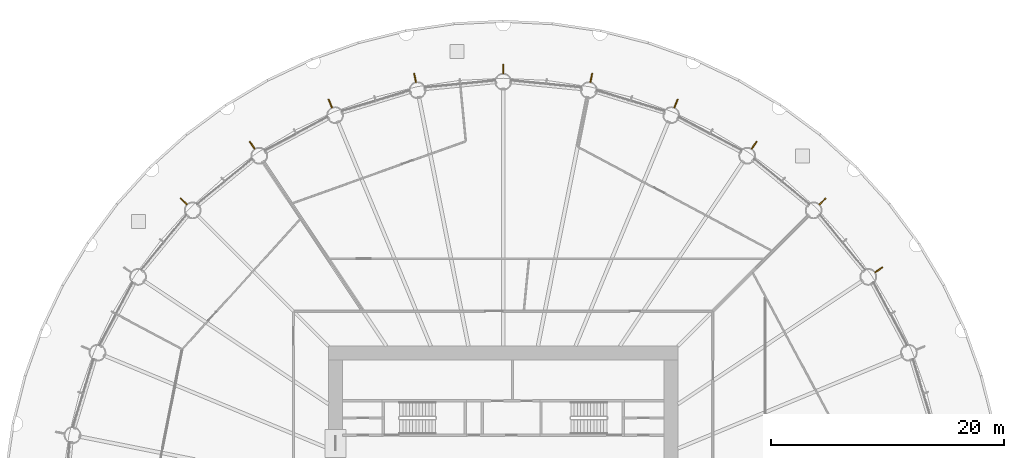
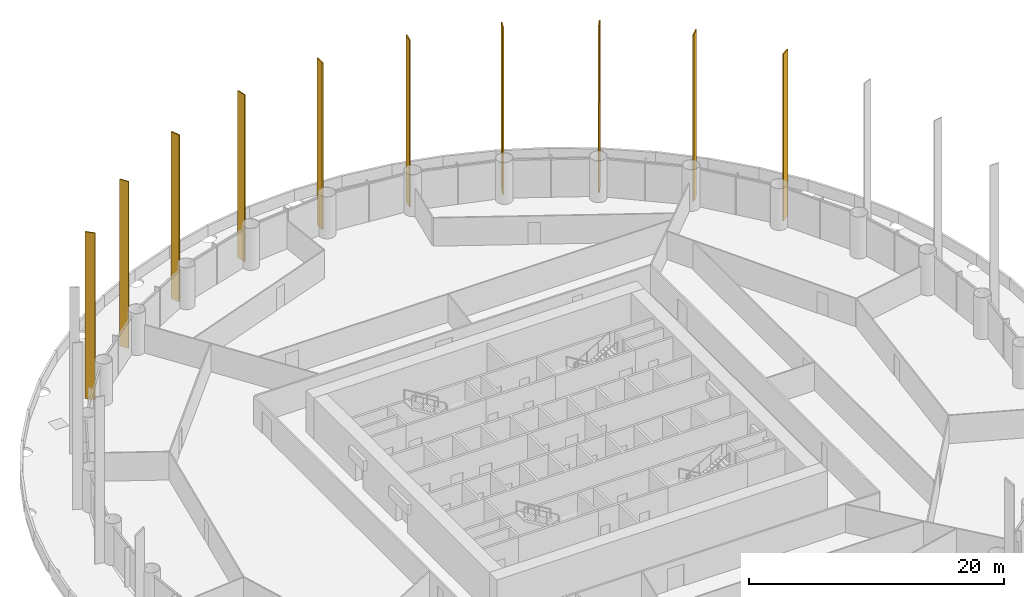
# One storey, part 17 of 17: 10 shading devices.
"""IFC4 building model written with IfcOpenShell, lengths in metres."""

from ifc_helpers import new_model, si_unit, direction, frame, origin, origin_2d, place, context, subcontext, project, spatial, rectangle, extrude, material, material_profile, profile_set, type_object, element, save


model = new_model("IFC4")

# Units and contexts
model_context = context("Model", 3, precision=1e-05, world=origin(), true_north=direction((0.0, 1.0)))
body_context = subcontext(model_context, "Body", "Model", "MODEL_VIEW")
ifc_project = project(units=[si_unit("LENGTHUNIT", "METRE"), si_unit("AREAUNIT", "SQUARE_METRE"), si_unit("VOLUMEUNIT", "CUBIC_METRE"), si_unit("PLANEANGLEUNIT", "RADIAN"), si_unit("MASSUNIT", "GRAM", prefix="KILO")], contexts=[model_context])

# Site, building, storey
site_placement = place(None, origin())
site = spatial("IfcSite", under=ifc_project, at=site_placement, CompositionType="ELEMENT")
building_placement = place(site_placement, origin())
building = spatial("IfcBuilding", under=site, at=building_placement, Name="Corvane Civic Tower", CompositionType="ELEMENT")
storey_placement = place(building_placement, frame((0.0, 0.0, 37.0)))
storey = spatial("IfcBuildingStorey", under=building, at=storey_placement, Name="L07", CompositionType="ELEMENT", Elevation=37.0)

# Shading devices
ifc_material = material(Name="Anodised aluminium bronze", Category="aluminium")
ifc_material_profile = material_profile(ifc_material, rectangle(XDim=0.10009765625, YDim=0.800048828125, at=origin_2d()), Name="TOWER FIN STACK 100x800 BRONZE")
ifc_profile_set = profile_set([ifc_material_profile], Name="Anodised aluminium bronze")
shading_device_type = type_object("IfcShadingDeviceType", Name="TOWER FIN STACK 100x800 BRONZE", PredefinedType="USERDEFINED", material=ifc_profile_set)
for number, where, z_axis, x_axis, name in (
    (1, (0.0, 38.780029296875, 0.0), (0.0, 0.0, 1.0), (1.0, 0.0, 0.0), "Fin 01 L07 to L10"),
    (2, (7.565673828125, 38.034912109375, 0.0), (0.0, 0.0, 1.0), (0.980785280403, -0.195090322016, 0.0), "Fin 02 L07 to L10"),
    (3, (14.840576171875, 35.828125, 0.0), (0.0, 0.0, 1.0), (0.923879532511, -0.382683432365, 0.0), "Fin 03 L07 to L10"),
    (4, (21.544921875, 32.244384765625, 0.0), (0.0, 0.0, 1.0), (0.831469612303, -0.55557023302, 0.0), "Fin 04 L07 to L10"),
    (5, (27.421630859375, 27.421630859375, 0.0), (0.0, 0.0, 1.0), (0.707106781187, -0.707106781187, 0.0), "Fin 05 L07 to L10"),
    (6, (32.244384765625, 21.544921875, 0.0), (0.0, 0.0, 1.0), (0.55557023302, -0.831469612303, 0.0), "Fin 06 L07 to L10"),
    (7, (-27.421630859375, 27.421630859375, 0.0), (0.0, 0.0, 1.0), (0.707106781187, 0.707106781187, 0.0), "Fin 29 L07 to L10"),
    (8, (-21.544921875, 32.244384765625, 0.0), (0.0, 0.0, 1.0), (0.831469612303, 0.55557023302, 0.0), "Fin 30 L07 to L10"),
    (9, (-14.840576171875, 35.828125, 0.0), (0.0, 0.0, 1.0), (0.923879532511, 0.382683432365, 0.0), "Fin 31 L07 to L10"),
    (10, (-7.565673828125, 38.034912109375, 0.0), (0.0, 0.0, 1.0), (0.980785280403, 0.195090322016, 0.0), "Fin 32 L07 to L10"),
):
    element("IfcShadingDevice", number, at=place(storey_placement, frame(where, z_axis=z_axis, x_axis=x_axis)), inside=storey, type_object=shading_device_type, Name=name, ObjectType="FIN", PredefinedType="USERDEFINED", context=body_context, shape_type="SweptSolid", body=[
        extrude(rectangle(XDim=0.10009765625, YDim=0.800048828125, at=origin_2d()), origin(), (0.0, 0.0, 1.0), 16.0),
    ])

save(model, "model.ifc")
